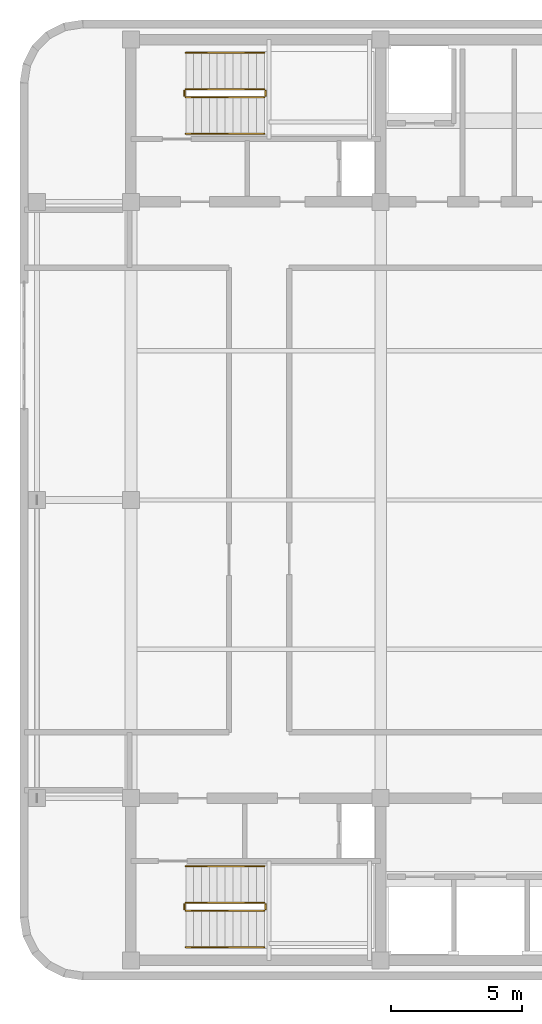
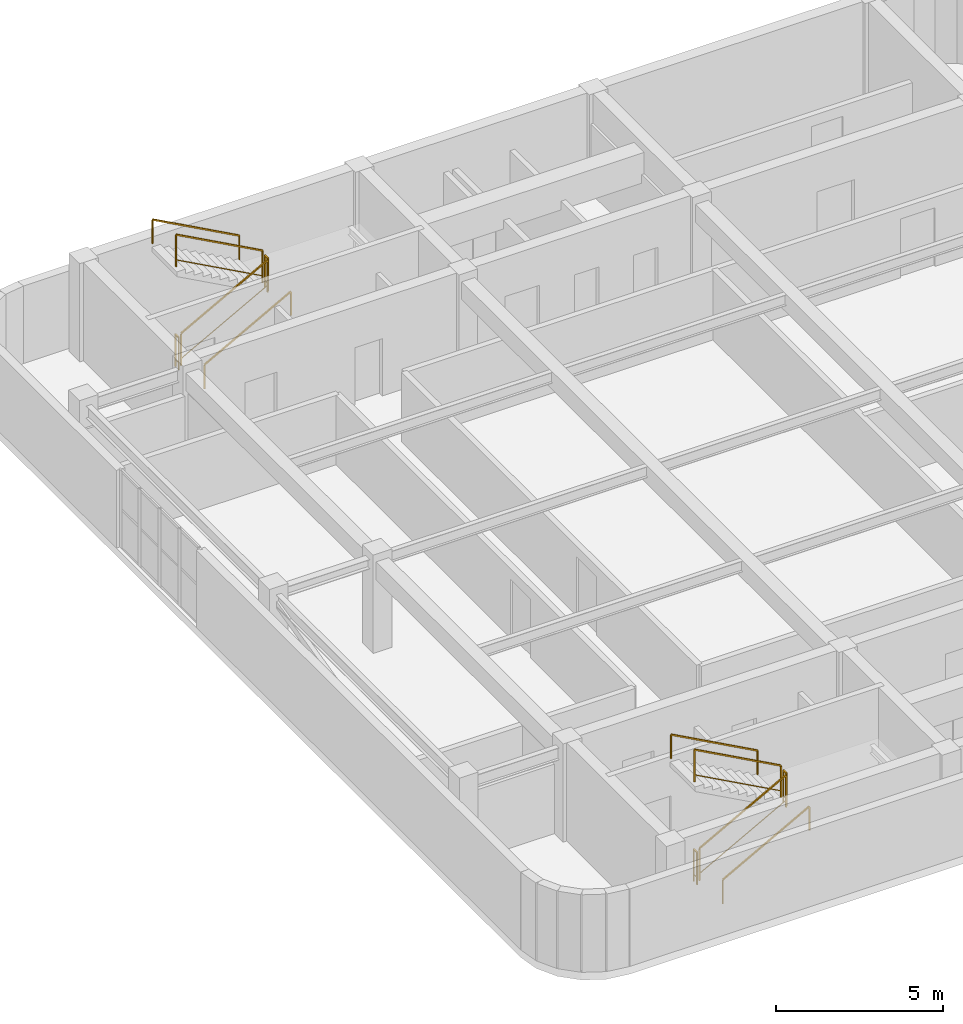
# One storey, part 9 of 9: 12 railings.
"""IFC4 building model written with IfcOpenShell, lengths in metres."""

from ifc_helpers import new_model, si_unit, direction, frame, origin, origin_2d, place, context, subcontext, project, spatial, rectangle, extrude, material, type_object, element, save


model = new_model("IFC4")

# Units and contexts
model_context = context("Model", 3, precision=1e-05, world=origin(), true_north=direction((0.0, 1.0)))
body_context = subcontext(model_context, "Body", "Model", "MODEL_VIEW")
ifc_project = project(units=[si_unit("LENGTHUNIT", "METRE"), si_unit("AREAUNIT", "SQUARE_METRE"), si_unit("VOLUMEUNIT", "CUBIC_METRE"), si_unit("PLANEANGLEUNIT", "RADIAN"), si_unit("MASSUNIT", "GRAM", prefix="KILO")], contexts=[model_context])

# Site, building, storey
site_placement = place(None, origin())
site = spatial("IfcSite", under=ifc_project, at=site_placement, CompositionType="ELEMENT")
building_placement = place(site_placement, origin())
building = spatial("IfcBuilding", under=site, at=building_placement, Name="Svetorya Sky Lyceum", CompositionType="ELEMENT")
storey_placement = place(building_placement, frame((0.0, 0.0, 312.800048828125)))
storey = spatial("IfcBuildingStorey", under=building, at=storey_placement, Name="C04", CompositionType="ELEMENT", Elevation=312.800048828125)

# Railings
ifc_material_1 = material(Name="Painted galvanized stair well guard")
railing_type_1 = type_object("IfcRailingType", Name="RL-STR-GUARD-1200", PredefinedType="GUARDRAIL", material=ifc_material_1)
railing_1_placement = place(storey_placement, frame((27.699951171875, 12.5, 0.16357421875)))
element("IfcRailing", 1, at=railing_1_placement, inside=storey, type_object=railing_type_1, Name="C04 ST-S stair guard 1", PredefinedType="GUARDRAIL", context=body_context, shape_type="SweptSolid", body=[
    extrude(rectangle(XDim=0.048095703125, YDim=0.048095703125, at=origin_2d()), frame((0.0, 0.0, 1.17578125), z_axis=(0.877881921179, 0.0, 0.478877158013), x_axis=(0.0, 1.0, 0.0)), (0.0, 0.0, 1.0), 3.417236328125),
    extrude(rectangle(XDim=0.02392578125, YDim=0.02392578125, at=origin_2d()), frame((0.0, 0.0, 0.25), z_axis=(0.877881921179, 0.0, 0.478877158013), x_axis=(0.0, 1.0, 0.0)), (0.0, 0.0, 1.0), 3.417236328125),
    extrude(rectangle(XDim=0.0419921875, YDim=0.0419921875, at=origin_2d()), origin(), (0.0, 0.0, 1.0), 1.15185546875),
    extrude(rectangle(XDim=0.0419921875, YDim=0.0419921875, at=origin_2d()), frame((3.0, 0.0, 1.636474609375)), (0.0, 0.0, 1.0), 1.15185546875),
])
railing_2_placement = place(storey_placement, frame((30.75, 12.550048828125, 1.800048828125)))
element("IfcRailing", 2, at=railing_2_placement, inside=storey, type_object=railing_type_1, Name="C04 ST-S stair guard 2", PredefinedType="GUARDRAIL", context=body_context, shape_type="SweptSolid", body=[
    extrude(rectangle(XDim=0.048095703125, YDim=0.048095703125, at=origin_2d()), frame((0.0, 0.0, 1.17578125), z_axis=(0.0, 1.0, 0.0), x_axis=(-1.0, 0.0, 0.0)), (0.0, 0.0, 1.0), 0.199951171875),
    extrude(rectangle(XDim=0.02392578125, YDim=0.02392578125, at=origin_2d()), frame((0.0, 0.0, 0.25), z_axis=(0.0, 1.0, 0.0), x_axis=(-1.0, 0.0, 0.0)), (0.0, 0.0, 1.0), 0.199951171875),
    extrude(rectangle(XDim=0.0419921875, YDim=0.0419921875, at=origin_2d()), origin(), (0.0, 0.0, 1.0), 1.15185546875),
    extrude(rectangle(XDim=0.0419921875, YDim=0.0419921875, at=origin_2d()), frame((0.0, 0.199951171875, 0.0)), (0.0, 0.0, 1.0), 1.15185546875),
])
railing_3_placement = place(storey_placement, frame((30.699951171875, 12.800048828125, 1.963623046875)))
element("IfcRailing", 3, at=railing_3_placement, inside=storey, type_object=railing_type_1, Name="C04 ST-S stair guard 3", PredefinedType="GUARDRAIL", context=body_context, shape_type="SweptSolid", body=[
    extrude(rectangle(XDim=0.048095703125, YDim=0.048095703125, at=origin_2d()), frame((0.0, 0.0, 1.17578125), z_axis=(-0.877911954615, 0.0, 0.47882209634), x_axis=(0.0, -1.0, 0.0)), (0.0, 0.0, 1.0), 3.417236328125),
    extrude(rectangle(XDim=0.02392578125, YDim=0.02392578125, at=origin_2d()), frame((0.0, 0.0, 0.25), z_axis=(-0.877911954615, 0.0, 0.47882209634), x_axis=(0.0, -1.0, 0.0)), (0.0, 0.0, 1.0), 3.417236328125),
    extrude(rectangle(XDim=0.0419921875, YDim=0.0419921875, at=origin_2d()), origin(), (0.0, 0.0, 1.0), 1.15185546875),
    extrude(rectangle(XDim=0.0419921875, YDim=0.0419921875, at=origin_2d()), frame((-3.0, 0.0, 1.63623046875)), (0.0, 0.0, 1.0), 1.15185546875),
])
railing_4_placement = place(storey_placement, frame((27.64990234375, 12.550048828125, 0.0)))
element("IfcRailing", 4, at=railing_4_placement, inside=storey, type_object=railing_type_1, Name="C04 ST-S stair guard 4", PredefinedType="GUARDRAIL", context=body_context, shape_type="SweptSolid", body=[
    extrude(rectangle(XDim=0.048095703125, YDim=0.048095703125, at=origin_2d()), frame((0.0, 0.0, 1.17578125), z_axis=(0.0, 1.0, 0.0), x_axis=(-1.0, 0.0, 0.0)), (0.0, 0.0, 1.0), 0.199951171875),
    extrude(rectangle(XDim=0.02392578125, YDim=0.02392578125, at=origin_2d()), frame((0.0, 0.0, 0.25), z_axis=(0.0, 1.0, 0.0), x_axis=(-1.0, 0.0, 0.0)), (0.0, 0.0, 1.0), 0.199951171875),
    extrude(rectangle(XDim=0.0419921875, YDim=0.0419921875, at=origin_2d()), origin(), (0.0, 0.0, 1.0), 1.15185546875),
    extrude(rectangle(XDim=0.0419921875, YDim=0.0419921875, at=origin_2d()), frame((0.0, 0.199951171875, 0.0)), (0.0, 0.0, 1.0), 1.15185546875),
])
railing_5_placement = place(storey_placement, frame((27.699951171875, 43.60009765625, 0.16357421875)))
element("IfcRailing", 5, at=railing_5_placement, inside=storey, type_object=railing_type_1, Name="C04 ST-N stair guard 1", PredefinedType="GUARDRAIL", context=body_context, shape_type="SweptSolid", body=[
    extrude(rectangle(XDim=0.048095703125, YDim=0.048095703125, at=origin_2d()), frame((0.0, 0.0, 1.17578125), z_axis=(0.877881921179, 0.0, 0.478877158013), x_axis=(0.0, 1.0, 0.0)), (0.0, 0.0, 1.0), 3.417236328125),
    extrude(rectangle(XDim=0.02392578125, YDim=0.02392578125, at=origin_2d()), frame((0.0, 0.0, 0.25), z_axis=(0.877881921179, 0.0, 0.478877158013), x_axis=(0.0, 1.0, 0.0)), (0.0, 0.0, 1.0), 3.417236328125),
    extrude(rectangle(XDim=0.0419921875, YDim=0.0419921875, at=origin_2d()), origin(), (0.0, 0.0, 1.0), 1.15185546875),
    extrude(rectangle(XDim=0.0419921875, YDim=0.0419921875, at=origin_2d()), frame((3.0, 0.0, 1.636474609375)), (0.0, 0.0, 1.0), 1.15185546875),
])
railing_6_placement = place(storey_placement, frame((30.75, 43.64990234375, 1.800048828125)))
element("IfcRailing", 6, at=railing_6_placement, inside=storey, type_object=railing_type_1, Name="C04 ST-N stair guard 2", PredefinedType="GUARDRAIL", context=body_context, shape_type="SweptSolid", body=[
    extrude(rectangle(XDim=0.048095703125, YDim=0.048095703125, at=origin_2d()), frame((0.0, 0.0, 1.17578125), z_axis=(0.0, 1.0, 0.0), x_axis=(-1.0, 0.0, 0.0)), (0.0, 0.0, 1.0), 0.2001953125),
    extrude(rectangle(XDim=0.02392578125, YDim=0.02392578125, at=origin_2d()), frame((0.0, 0.0, 0.25), z_axis=(0.0, 1.0, 0.0), x_axis=(-1.0, 0.0, 0.0)), (0.0, 0.0, 1.0), 0.2001953125),
    extrude(rectangle(XDim=0.0419921875, YDim=0.0419921875, at=origin_2d()), origin(), (0.0, 0.0, 1.0), 1.15185546875),
    extrude(rectangle(XDim=0.0419921875, YDim=0.0419921875, at=origin_2d()), frame((0.0, 0.2001953125, 0.0)), (0.0, 0.0, 1.0), 1.15185546875),
])
railing_7_placement = place(storey_placement, frame((30.699951171875, 43.89990234375, 1.963623046875)))
element("IfcRailing", 7, at=railing_7_placement, inside=storey, type_object=railing_type_1, Name="C04 ST-N stair guard 3", PredefinedType="GUARDRAIL", context=body_context, shape_type="SweptSolid", body=[
    extrude(rectangle(XDim=0.048095703125, YDim=0.048095703125, at=origin_2d()), frame((0.0, 0.0, 1.17578125), z_axis=(-0.877911954615, 0.0, 0.47882209634), x_axis=(0.0, -1.0, 0.0)), (0.0, 0.0, 1.0), 3.417236328125),
    extrude(rectangle(XDim=0.02392578125, YDim=0.02392578125, at=origin_2d()), frame((0.0, 0.0, 0.25), z_axis=(-0.877911954615, 0.0, 0.47882209634), x_axis=(0.0, -1.0, 0.0)), (0.0, 0.0, 1.0), 3.417236328125),
    extrude(rectangle(XDim=0.0419921875, YDim=0.0419921875, at=origin_2d()), origin(), (0.0, 0.0, 1.0), 1.15185546875),
    extrude(rectangle(XDim=0.0419921875, YDim=0.0419921875, at=origin_2d()), frame((-3.0, 0.0, 1.63623046875)), (0.0, 0.0, 1.0), 1.15185546875),
])
railing_8_placement = place(storey_placement, frame((27.64990234375, 43.64990234375, 0.0)))
element("IfcRailing", 8, at=railing_8_placement, inside=storey, type_object=railing_type_1, Name="C04 ST-N stair guard 4", PredefinedType="GUARDRAIL", context=body_context, shape_type="SweptSolid", body=[
    extrude(rectangle(XDim=0.048095703125, YDim=0.048095703125, at=origin_2d()), frame((0.0, 0.0, 1.17578125), z_axis=(0.0, 1.0, 0.0), x_axis=(-1.0, 0.0, 0.0)), (0.0, 0.0, 1.0), 0.2001953125),
    extrude(rectangle(XDim=0.02392578125, YDim=0.02392578125, at=origin_2d()), frame((0.0, 0.0, 0.25), z_axis=(0.0, 1.0, 0.0), x_axis=(-1.0, 0.0, 0.0)), (0.0, 0.0, 1.0), 0.2001953125),
    extrude(rectangle(XDim=0.0419921875, YDim=0.0419921875, at=origin_2d()), origin(), (0.0, 0.0, 1.0), 1.15185546875),
    extrude(rectangle(XDim=0.0419921875, YDim=0.0419921875, at=origin_2d()), frame((0.0, 0.2001953125, 0.0)), (0.0, 0.0, 1.0), 1.15185546875),
])
ifc_material_2 = material(Name="Brushed stainless AISI 304 stair handrail")
railing_type_2 = type_object("IfcRailingType", Name="RL-STR-HAND-920", PredefinedType="HANDRAIL", material=ifc_material_2)
railing_9_placement = place(storey_placement, frame((27.699951171875, 11.10009765625, 0.16357421875)))
element("IfcRailing", 9, at=railing_9_placement, inside=storey, type_object=railing_type_2, Name="C04 ST-S stair handrail 1", PredefinedType="HANDRAIL", context=body_context, shape_type="SweptSolid", body=[
    extrude(rectangle(XDim=0.048095703125, YDim=0.048095703125, at=origin_2d()), frame((0.0, 0.0, 0.8759765625), z_axis=(0.877881921179, 0.0, 0.478877158013), x_axis=(0.0, 1.0, 0.0)), (0.0, 0.0, 1.0), 3.417236328125),
    extrude(rectangle(XDim=0.0419921875, YDim=0.0419921875, at=origin_2d()), origin(), (0.0, 0.0, 1.0), 0.851806640625),
    extrude(rectangle(XDim=0.0419921875, YDim=0.0419921875, at=origin_2d()), frame((3.0, 0.0, 1.636474609375)), (0.0, 0.0, 1.0), 0.851806640625),
])
railing_10_placement = place(storey_placement, frame((30.699951171875, 14.199951171875, 1.963623046875)))
element("IfcRailing", 10, at=railing_10_placement, inside=storey, type_object=railing_type_2, Name="C04 ST-S stair handrail 2", PredefinedType="HANDRAIL", context=body_context, shape_type="SweptSolid", body=[
    extrude(rectangle(XDim=0.048095703125, YDim=0.048095703125, at=origin_2d()), frame((0.0, 0.0, 0.8759765625), z_axis=(-0.877911954615, 0.0, 0.47882209634), x_axis=(0.0, -1.0, 0.0)), (0.0, 0.0, 1.0), 3.417236328125),
    extrude(rectangle(XDim=0.0419921875, YDim=0.0419921875, at=origin_2d()), origin(), (0.0, 0.0, 1.0), 0.851806640625),
    extrude(rectangle(XDim=0.0419921875, YDim=0.0419921875, at=origin_2d()), frame((-3.0, 0.0, 1.63623046875)), (0.0, 0.0, 1.0), 0.851806640625),
])
railing_11_placement = place(storey_placement, frame((27.699951171875, 42.199951171875, 0.16357421875)))
element("IfcRailing", 11, at=railing_11_placement, inside=storey, type_object=railing_type_2, Name="C04 ST-N stair handrail 1", PredefinedType="HANDRAIL", context=body_context, shape_type="SweptSolid", body=[
    extrude(rectangle(XDim=0.048095703125, YDim=0.048095703125, at=origin_2d()), frame((0.0, 0.0, 0.8759765625), z_axis=(0.877881921179, 0.0, 0.478877158013), x_axis=(0.0, 1.0, 0.0)), (0.0, 0.0, 1.0), 3.417236328125),
    extrude(rectangle(XDim=0.0419921875, YDim=0.0419921875, at=origin_2d()), origin(), (0.0, 0.0, 1.0), 0.851806640625),
    extrude(rectangle(XDim=0.0419921875, YDim=0.0419921875, at=origin_2d()), frame((3.0, 0.0, 1.636474609375)), (0.0, 0.0, 1.0), 0.851806640625),
])
railing_12_placement = place(storey_placement, frame((30.699951171875, 45.300048828125, 1.963623046875)))
element("IfcRailing", 12, at=railing_12_placement, inside=storey, type_object=railing_type_2, Name="C04 ST-N stair handrail 2", PredefinedType="HANDRAIL", context=body_context, shape_type="SweptSolid", body=[
    extrude(rectangle(XDim=0.048095703125, YDim=0.048095703125, at=origin_2d()), frame((0.0, 0.0, 0.8759765625), z_axis=(-0.877911954615, 0.0, 0.47882209634), x_axis=(0.0, -1.0, 0.0)), (0.0, 0.0, 1.0), 3.417236328125),
    extrude(rectangle(XDim=0.0419921875, YDim=0.0419921875, at=origin_2d()), origin(), (0.0, 0.0, 1.0), 0.851806640625),
    extrude(rectangle(XDim=0.0419921875, YDim=0.0419921875, at=origin_2d()), frame((-3.0, 0.0, 1.63623046875)), (0.0, 0.0, 1.0), 0.851806640625),
])

save(model, "model.ifc")
